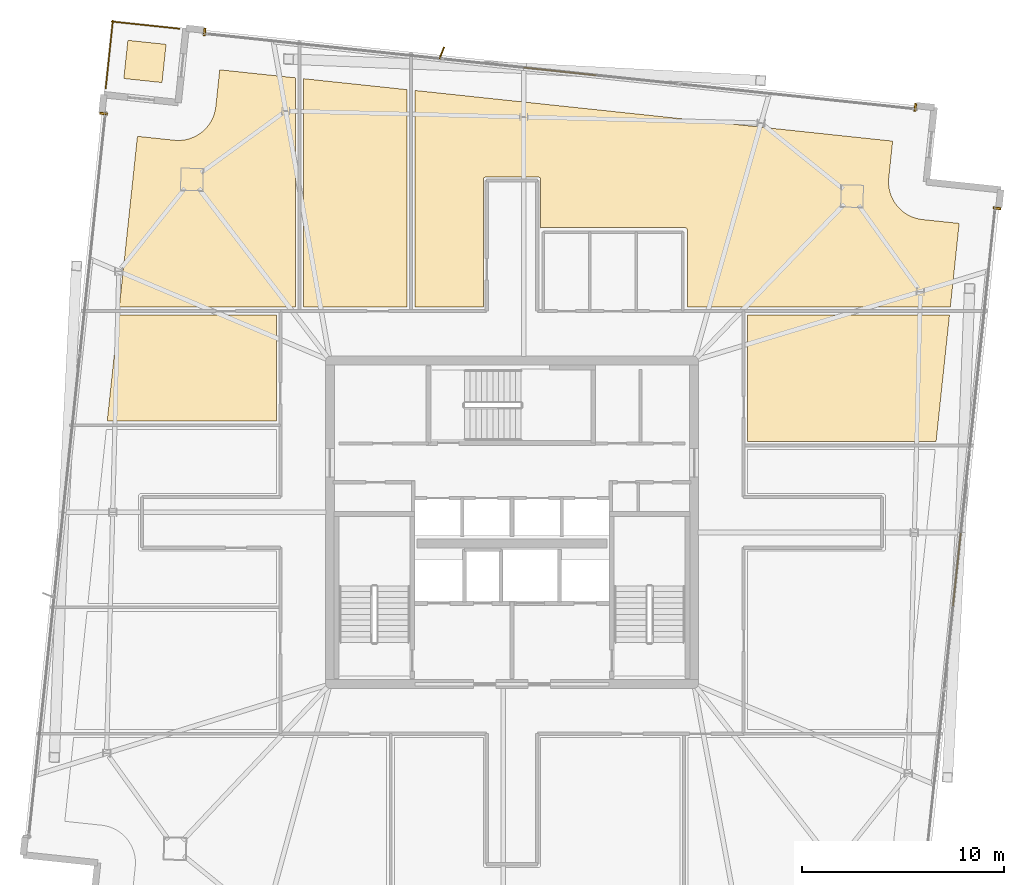
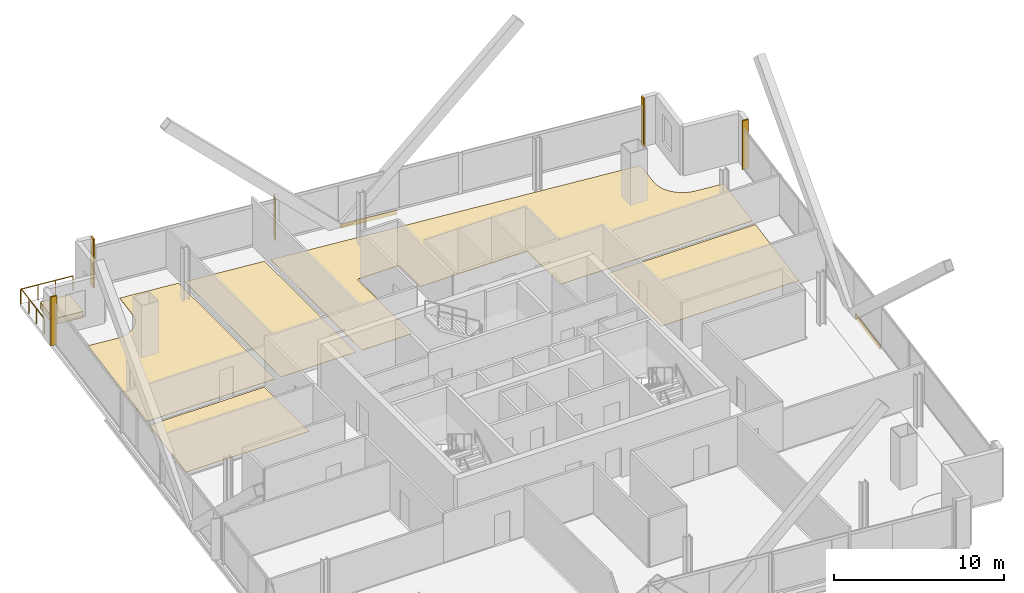
# One storey, part 24 of 24: 12 coverings, 2 railings, 1 shading device.
"""IFC4 building model written with IfcOpenShell, lengths in metres."""

from ifc_helpers import new_model, si_unit, direction, frame, origin, origin_2d, place, context, subcontext, project, spatial, polyline, rectangle, outline, extrude, source, transform, mapped, material, layer, layer_set, type_object, element, save


model = new_model("IFC4")

# Units and contexts
model_context = context("Model", 3, precision=1e-05, world=origin(), true_north=direction((0.0, 1.0)))
body_context = subcontext(model_context, "Body", "Model", "MODEL_VIEW")
ifc_project = project(units=[si_unit("LENGTHUNIT", "METRE"), si_unit("AREAUNIT", "SQUARE_METRE"), si_unit("VOLUMEUNIT", "CUBIC_METRE"), si_unit("PLANEANGLEUNIT", "RADIAN"), si_unit("MASSUNIT", "GRAM", prefix="KILO")], contexts=[model_context])

# Site, building, storey
site_placement = place(None, origin())
site = spatial("IfcSite", under=ifc_project, at=site_placement, CompositionType="ELEMENT")
building_placement = place(site_placement, origin())
building = spatial("IfcBuilding", under=site, at=building_placement, Name="Haldenkirk Collegiate Tower", CompositionType="ELEMENT")
storey_placement = place(building_placement, frame((0.0, 0.0, 310.199951171875)))
storey = spatial("IfcBuildingStorey", under=building, at=storey_placement, Name="L78", CompositionType="ELEMENT", Elevation=310.199951171875)

# Coverings
ifc_material_1 = material(Name="Polished collegiate terrazzo", Category="concrete")
ifc_layer_1 = layer(ifc_material_1, 0.02490234375)
ifc_layer_set_1 = layer_set([ifc_layer_1], Name="Polished collegiate terrazzo")
covering_type_1 = type_object("IfcCoveringType", Name="COV-FLOOR-TERRAZZO", PredefinedType="FLOORING", material=ifc_layer_set_1)
covering_1_placement = place(storey_placement, origin())
element("IfcCovering", 1, at=covering_1_placement, inside=storey, type_object=covering_type_1, Name="L78 academic room finish 04", PredefinedType="FLOORING", context=body_context, shape_type="SweptSolid", body=[
    extrude(outline(polyline([(19.29833984375, 44.8955078125), (19.30419921875, 44.89501953125), (19.475830078125, 44.88525390625), (19.487548828125, 44.88525390625), (19.6591796875, 44.892333984375), (19.6708984375, 44.8935546875), (19.841064453125, 44.91748046875), (19.8525390625, 44.919677734375), (20.019287109375, 44.960205078125), (20.03076171875, 44.96337890625), (20.19287109375, 45.02001953125), (20.203857421875, 45.0244140625), (20.359619140625, 45.0966796875), (20.3701171875, 45.102294921875), (20.517822265625, 45.189453125), (20.52783203125, 45.19580078125), (20.66650390625, 45.297119140625), (20.675537109375, 45.3046875), (20.8037109375, 45.4189453125), (20.81201171875, 45.42724609375), (20.928466796875, 45.5537109375), (20.93603515625, 45.562744140625), (21.039306640625, 45.699951171875), (21.0458984375, 45.709716796875), (21.13525390625, 45.856201171875), (21.140869140625, 45.86669921875), (21.215576171875, 46.021240234375), (21.22021484375, 46.0322265625), (21.279052734375, 46.193603515625), (21.28271484375, 46.20458984375), (21.32568359375, 46.37109375), (21.327880859375, 46.382568359375), (21.3544921875, 46.552001953125), (21.355224609375, 46.55810546875), (21.548095703125, 48.377685546875), (25.300048828125, 47.97998046875), (25.300048828125, 36.64990234375), (16.584228515625, 36.64990234375), (17.478759765625, 45.08837890625), (19.29833984375, 44.8955078125)])), origin(), (0.0, 0.0, 1.0), 0.025146484375),
])
covering_2_placement = place(storey_placement, origin())
element("IfcCovering", 2, at=covering_2_placement, inside=storey, type_object=covering_type_1, Name="L78 academic room finish 06", PredefinedType="FLOORING", context=body_context, shape_type="SweptSolid", body=[
    extrude(outline(polyline([(37.419921875, 40.56591796875), (37.419921875, 42.949951171875), (37.41943359375, 42.9619140625), (37.417724609375, 42.973388671875), (37.414794921875, 42.98486328125), (37.410888671875, 42.995849609375), (37.40576171875, 43.006591796875), (37.39990234375, 43.0166015625), (37.392822265625, 43.026123046875), (37.385009765625, 43.034912109375), (37.376220703125, 43.042724609375), (37.36669921875, 43.0498046875), (37.356689453125, 43.055908203125), (37.345947265625, 43.060791015625), (37.334716796875, 43.064697265625), (37.323486328125, 43.067626953125), (37.311767578125, 43.0693359375), (37.300048828125, 43.070068359375), (34.699951171875, 43.070068359375), (34.688232421875, 43.0693359375), (34.676513671875, 43.067626953125), (34.665283203125, 43.064697265625), (34.654052734375, 43.060791015625), (34.643310546875, 43.055908203125), (34.63330078125, 43.0498046875), (34.623779296875, 43.042724609375), (34.614990234375, 43.034912109375), (34.607177734375, 43.026123046875), (34.60009765625, 43.0166015625), (34.59423828125, 43.006591796875), (34.589111328125, 42.995849609375), (34.585205078125, 42.98486328125), (34.582275390625, 42.973388671875), (34.58056640625, 42.9619140625), (34.580078125, 42.949951171875), (34.580078125, 36.64990234375), (31.199951171875, 36.64990234375), (31.199951171875, 47.35498046875), (54.82177734375, 44.851318359375), (54.62890625, 43.031494140625), (54.62841796875, 43.025634765625), (54.61865234375, 42.854248046875), (54.618408203125, 42.84228515625), (54.625732421875, 42.6708984375), (54.626708984375, 42.6591796875), (54.650634765625, 42.489013671875), (54.65283203125, 42.477294921875), (54.693359375, 42.310546875), (54.69677734375, 42.29931640625), (54.75341796875, 42.13720703125), (54.7578125, 42.126220703125), (54.830078125, 41.970458984375), (54.835693359375, 41.9599609375), (54.922607421875, 41.81201171875), (54.92919921875, 41.80224609375), (55.030517578125, 41.66357421875), (55.037841796875, 41.654296875), (55.15234375, 41.5263671875), (55.160400390625, 41.517822265625), (55.286865234375, 41.401611328125), (55.2958984375, 41.39404296875), (55.43310546875, 41.290771484375), (55.44287109375, 41.2841796875), (55.589599609375, 41.194580078125), (55.599853515625, 41.189208984375), (55.754638671875, 41.114501953125), (55.765380859375, 41.10986328125), (55.9267578125, 41.05078125), (55.93798828125, 41.04736328125), (56.104248046875, 41.00439453125), (56.11572265625, 41.001953125), (56.285400390625, 40.9755859375), (56.291259765625, 40.974853515625), (58.111083984375, 40.781982421875), (57.673095703125, 36.64990234375), (44.669921875, 36.64990234375), (44.669921875, 40.449951171875), (44.66943359375, 40.4619140625), (44.667724609375, 40.473388671875), (44.664794921875, 40.48486328125), (44.660888671875, 40.495849609375), (44.65576171875, 40.506591796875), (44.64990234375, 40.5166015625), (44.642822265625, 40.526123046875), (44.635009765625, 40.534912109375), (44.626220703125, 40.542724609375), (44.61669921875, 40.5498046875), (44.606689453125, 40.555908203125), (44.595947265625, 40.560791015625), (44.584716796875, 40.564697265625), (44.573486328125, 40.567626953125), (44.561767578125, 40.5693359375), (44.550048828125, 40.570068359375), (37.449951171875, 40.570068359375), (37.438232421875, 40.5693359375), (37.426513671875, 40.567626953125), (37.419921875, 40.56591796875)])), origin(), (0.0, 0.0, 1.0), 0.025146484375),
])
ifc_material_2 = material(Name="Engineered collegiate oak acoustic flooring", Category="wood")
ifc_layer_2 = layer(ifc_material_2, 0.02197265625)
ifc_layer_set_2 = layer_set([ifc_layer_2], Name="Engineered collegiate oak acoustic flooring")
covering_type_2 = type_object("IfcCoveringType", Name="COV-FLOOR-TIMBER", PredefinedType="FLOORING", material=ifc_layer_set_2)
covering_3_placement = place(storey_placement, origin())
element("IfcCovering", 3, at=covering_3_placement, inside=storey, type_object=covering_type_2, Name="L78 academic room finish 05", PredefinedType="FLOORING", context=body_context, shape_type="SweptSolid", body=[
    extrude(outline(polyline([(30.800048828125, 47.397216796875), (30.800048828125, 36.64990234375), (25.699951171875, 36.64990234375), (25.699951171875, 47.937744140625), (30.800048828125, 47.397216796875)])), origin(), (0.0, 0.0, 1.0), 0.02197265625),
])
covering_4_placement = place(storey_placement, origin())
element("IfcCovering", 4, at=covering_4_placement, inside=storey, type_object=covering_type_2, Name="L78 academic room finish 09", PredefinedType="FLOORING", context=body_context, shape_type="SweptSolid", body=[
    extrude(outline(polyline([(16.5419921875, 36.25), (24.35009765625, 36.25), (24.35009765625, 31.0), (15.985595703125, 31.0), (16.5419921875, 36.25)])), origin(), (0.0, 0.0, 1.0), 0.02197265625),
])
covering_5_placement = place(storey_placement, origin())
element("IfcCovering", 5, at=covering_5_placement, inside=storey, type_object=covering_type_2, Name="L78 academic room finish 11", PredefinedType="FLOORING", context=body_context, shape_type="SweptSolid", body=[
    extrude(outline(polyline([(56.96826171875, 30.0), (47.64990234375, 30.0), (47.64990234375, 36.25), (57.630859375, 36.25), (56.96826171875, 30.0)])), origin(), (0.0, 0.0, 1.0), 0.02197265625),
])
ifc_material_3 = material(Name="Precast concrete f'c 40 MPa", Category="concrete")
ifc_layer_3 = layer(ifc_material_3, 0.449951171875)
ifc_layer_set_3 = layer_set([ifc_layer_3], Name="Precast concrete f'c 40 MPa")
covering_type_3 = type_object("IfcCoveringType", Name="COV-PLANTER-450", PredefinedType="USERDEFINED", material=ifc_layer_set_3)
covering_6_placement = place(storey_placement, origin())
element("IfcCovering", 6, at=covering_6_placement, inside=storey, type_object=covering_type_3, Name="L78 planted garden planter bed", ObjectType="PLANTER", PredefinedType="USERDEFINED", context=body_context, shape_type="SweptSolid", body=[
    extrude(outline(polyline([(18.695556640625, 47.7451171875), (16.80615234375, 47.9453125), (17.00634765625, 49.834716796875), (18.895751953125, 49.634521484375), (18.695556640625, 47.7451171875)])), origin(), (0.0, 0.0, 1.0), 0.449951171875),
])

# Railings
ifc_material_4 = material(Name="Anodised architectural bronze aluminium", Category="aluminium")
railing_type = type_object("IfcRailingType", Name="RLG-TERR-BALUSTRADE-1100", PredefinedType="BALUSTRADE", material=ifc_material_4)
railing_1_placement = place(storey_placement, frame((19.56103515625, 50.40869140625, 0.0)))
element("IfcRailing", 7, at=railing_1_placement, inside=storey, type_object=railing_type, Name="L78 terrace guard balustrade 2-1", PredefinedType="BALUSTRADE", context=body_context, shape_type="SweptSolid", body=[
    extrude(rectangle(XDim=0.048095703125, YDim=0.048095703125, at=origin_2d()), frame((0.0, 0.0, 1.076171875), z_axis=(-0.994431190308, 0.105387891818, 0.0), x_axis=(-0.105387891818, -0.994431190308, 0.0)), (0.0, 0.0, 1.0), 3.3798828125),
    extrude(rectangle(XDim=0.0419921875, YDim=0.0419921875, at=origin_2d()), origin(), (0.0, 0.0, 1.0), 1.052001953125),
    extrude(rectangle(XDim=0.0419921875, YDim=0.0419921875, at=origin_2d()), frame((-1.120361328125, 0.11865234375, 0.0)), (0.0, 0.0, 1.0), 1.052001953125),
    extrude(rectangle(XDim=0.0419921875, YDim=0.0419921875, at=origin_2d()), frame((-2.24072265625, 0.237548828125, 0.0)), (0.0, 0.0, 1.0), 1.052001953125),
    extrude(rectangle(XDim=0.0419921875, YDim=0.0419921875, at=origin_2d()), frame((-3.361083984375, 0.356201171875, 0.0)), (0.0, 0.0, 1.0), 1.052001953125),
])
railing_2_placement = place(storey_placement, frame((16.265869140625, 50.818115234375, 0.0)))
element("IfcRailing", 8, at=railing_2_placement, inside=storey, type_object=railing_type, Name="L78 terrace guard balustrade 3-1", PredefinedType="BALUSTRADE", context=body_context, shape_type="SweptSolid", body=[
    extrude(rectangle(XDim=0.048095703125, YDim=0.048095703125, at=origin_2d()), frame((0.0, 0.0, 1.076171875), z_axis=(-0.105387891818, -0.994431190308, 0.0), x_axis=(0.994431190308, -0.105387891818, 0.0)), (0.0, 0.0, 1.0), 3.3798828125),
    extrude(rectangle(XDim=0.0419921875, YDim=0.0419921875, at=origin_2d()), origin(), (0.0, 0.0, 1.0), 1.052001953125),
    extrude(rectangle(XDim=0.0419921875, YDim=0.0419921875, at=origin_2d()), frame((-0.11865234375, -1.120361328125, 0.0)), (0.0, 0.0, 1.0), 1.052001953125),
    extrude(rectangle(XDim=0.0419921875, YDim=0.0419921875, at=origin_2d()), frame((-0.237548828125, -2.24072265625, 0.0)), (0.0, 0.0, 1.0), 1.052001953125),
    extrude(rectangle(XDim=0.0419921875, YDim=0.0419921875, at=origin_2d()), frame((-0.356201171875, -3.361083984375, 0.0)), (0.0, 0.0, 1.0), 1.052001953125),
])

# Coverings
ifc_layer_4 = layer(ifc_material_4, 0.06005859375)
ifc_layer_set_4 = layer_set([ifc_layer_4], Name="Anodised architectural bronze aluminium")
covering_type_4 = type_object("IfcCoveringType", Name="COV-CLAD-BRONZE-60", PredefinedType="CLADDING", material=ifc_layer_set_4)
shared_shape_1 = source(origin(), body_context, "Body", "SweptSolid", [
    extrude(rectangle(XDim=3.60009765625, YDim=0.06005859375, at=origin_2d()), origin(), (0.0, 0.0, 1.0), 0.300048828125),
])
for number, where, z_axis, x_axis, name in (
    (9, (57.996826171875, 23.668701171875, -0.2998046875), (0.0, 0.0, 1.0), (-0.105396307434, -0.994430298402, 0.0), "L78 architectural bronze spandrel cladding S"),
    (10, (38.363037109375, 48.295166015625, -0.2998046875), (0.0, 0.0, 1.0), (0.994430298402, -0.105396307434, 0.0), "L78 architectural bronze spandrel cladding E"),
):
    element("IfcCovering", number, at=place(storey_placement, frame(where, z_axis=z_axis, x_axis=x_axis)), inside=storey, type_object=covering_type_4, Name=name, PredefinedType="CLADDING", context=body_context, shape_type="MappedRepresentation", body=[
        mapped(shared_shape_1, transform((0.0, 0.0, 0.0), x_axis=(1.0, 0.0, 0.0), y_axis=(0.0, 1.0, 0.0), z_axis=(0.0, 0.0, 1.0), scale=1.0)),
    ])
shared_shape_2 = source(origin(), body_context, "Body", "SweptSolid", [
    extrude(rectangle(XDim=0.10009765625, YDim=0.3798828125, at=origin_2d()), origin(), (0.0, 0.0, 1.0), 3.489990234375),
])
for number, where, z_axis, x_axis, name in (
    (11, (59.980224609375, 41.529052734375, 0.0), (0.0, 0.0, 1.0), (-0.105396307434, -0.994430298402, 0.0), "L78 recessed curtain-wall bronze jamb closure SJL"),
    (12, (20.80078125, 50.246826171875, 0.0), (0.0, 0.0, 1.0), (0.994430298402, -0.105396307434, 0.0), "L78 recessed curtain-wall bronze jamb closure EJL"),
    (13, (55.944091796875, 46.5224609375, 0.0), (0.0, 0.0, 1.0), (0.994430298402, -0.105396307434, 0.0), "L78 recessed curtain-wall bronze jamb closure EJR"),
    (14, (15.8076171875, 46.210693359375, 0.0), (0.0, 0.0, 1.0), (0.105396307434, 0.994430298402, 0.0), "L78 recessed curtain-wall bronze jamb closure NJR"),
):
    element("IfcCovering", number, at=place(storey_placement, frame(where, z_axis=z_axis, x_axis=x_axis)), inside=storey, type_object=covering_type_4, Name=name, PredefinedType="CLADDING", context=body_context, shape_type="MappedRepresentation", body=[
        mapped(shared_shape_2, transform((0.0, 0.0, 0.0), x_axis=(1.0, 0.0, 0.0), y_axis=(0.0, 1.0, 0.0), z_axis=(0.0, 0.0, 1.0), scale=1.0)),
    ])

# Shading device
ifc_layer_5 = layer(ifc_material_4, 0.06494140625)
ifc_layer_set_5 = layer_set([ifc_layer_5], Name="Anodised architectural bronze aluminium")
shading_device_type = type_object("IfcShadingDeviceType", Name="SHD-FIN-BRONZE-620", PredefinedType="USERDEFINED", material=ifc_layer_set_5)
shared_shape_3 = source(origin(), body_context, "Body", "SweptSolid", [
    extrude(rectangle(XDim=0.6201171875, YDim=0.06494140625, at=origin_2d()), origin(), (0.0, 0.0, 1.0), 2.947998046875),
])
shading_device_placement = place(storey_placement, frame((32.527099609375, 49.210205078125, 0.0), z_axis=(0.0, 0.0, 1.0), x_axis=(0.375415571225, 0.92685659564, 0.0)))
element("IfcShadingDevice", 15, at=shading_device_placement, inside=storey, type_object=shading_device_type, Name="L78 folded bronze solar fin 1", ObjectType="FIN", PredefinedType="USERDEFINED", context=body_context, shape_type="MappedRepresentation", body=[
    mapped(shared_shape_3, transform((0.0, 0.0, 0.0), x_axis=(1.0, 0.0, 0.0), y_axis=(0.0, 1.0, 0.0), z_axis=(0.0, 0.0, 1.0), scale=1.0)),
])

save(model, "model.ifc")
